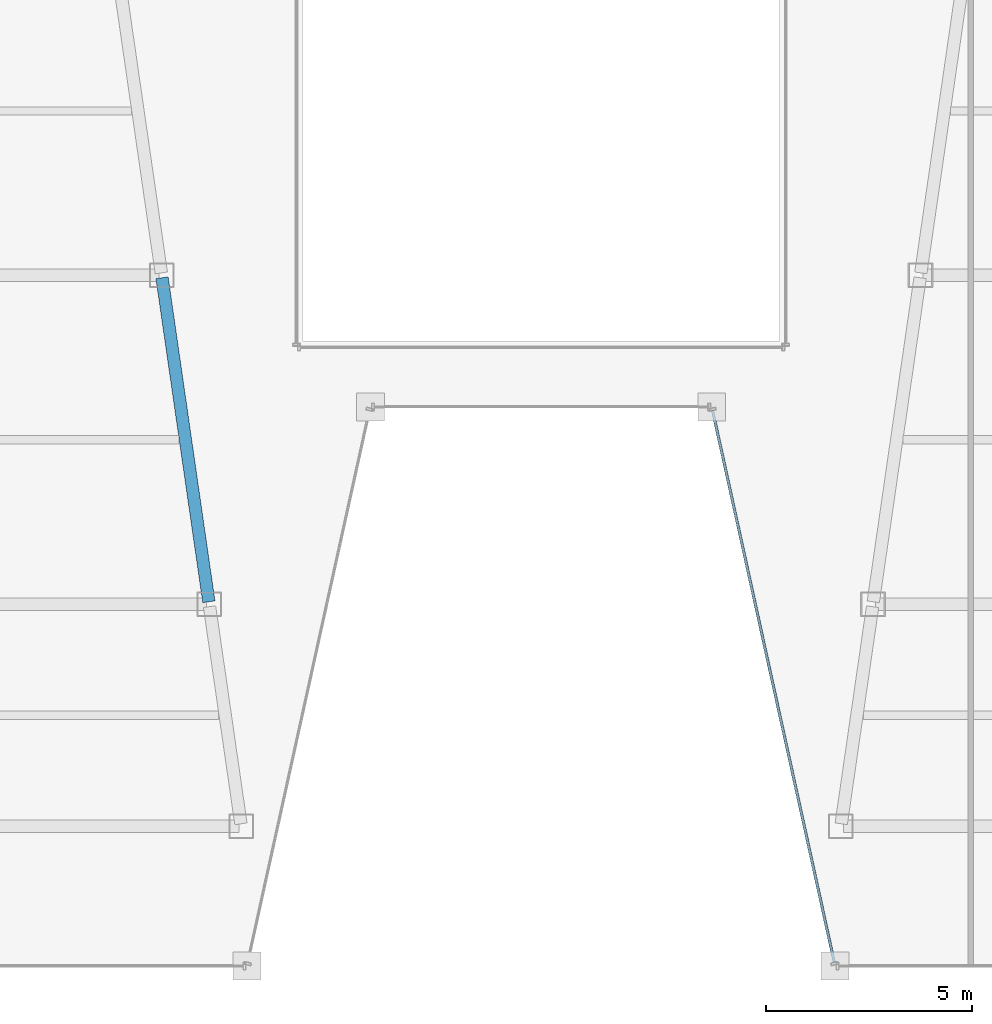
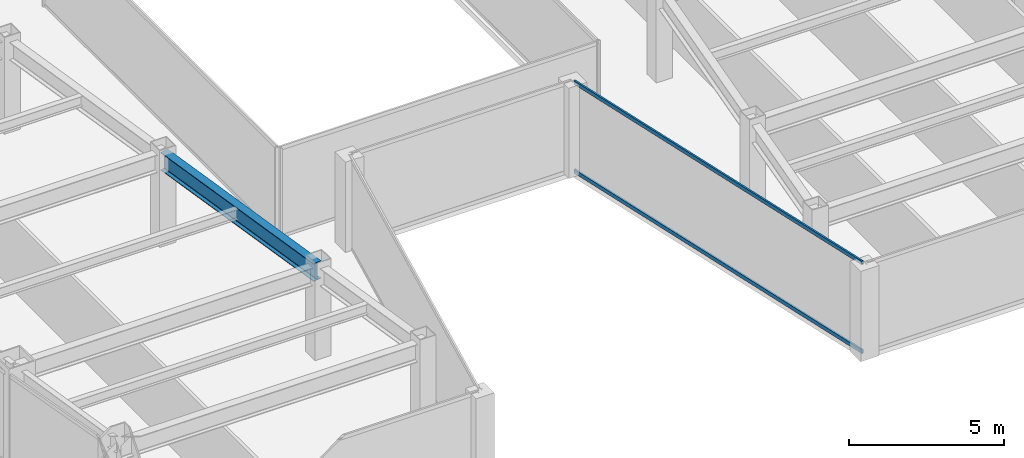
# One storey, part 6 of 37: 2 members, 1 beam, 1 element without a shape of its own.
"""IFC4 building model written with IfcOpenShell, lengths in metres."""

from ifc_helpers import new_model, si_unit, direction, frame, origin, origin_2d, place, context, subcontext, project, spatial, hollow_rectangle, i_section, extrude, material, material_profile, profile_set, type_object, element, aggregate, save


model = new_model("IFC4")

# Units and contexts
model_context = context("Model", 3, precision=1e-05, world=origin(), true_north=direction((0.0, 1.0)))
body_context = subcontext(model_context, "Body", "Model", "MODEL_VIEW")
ifc_project = project(units=[si_unit("LENGTHUNIT", "METRE"), si_unit("AREAUNIT", "SQUARE_METRE"), si_unit("VOLUMEUNIT", "CUBIC_METRE"), si_unit("PLANEANGLEUNIT", "RADIAN"), si_unit("MASSUNIT", "GRAM", prefix="KILO")], contexts=[model_context])

# Site, building, storey
site_placement = place(None, origin())
site = spatial("IfcSite", under=ifc_project, at=site_placement, CompositionType="ELEMENT")
building_placement = place(site_placement, origin())
building = spatial("IfcBuilding", under=site, at=building_placement, Name="Saevonmaru Cultural Tower", CompositionType="ELEMENT")
storey_placement = place(building_placement, frame((0.0, 0.0, 141.0)))
storey = spatial("IfcBuildingStorey", under=building, at=storey_placement, Name="L30", CompositionType="ELEMENT", Elevation=141.0)

# Beam
ifc_material_1 = material(Name="Steel SM355", Category="steel")
ifc_material_profile_1 = material_profile(ifc_material_1, i_section(OverallWidth=0.300048828125, OverallDepth=0.699951171875, WebThickness=0.012939453125, FlangeThickness=0.02392578125, FilletRadius=0.02587890625, at=origin_2d()), Name="H-700x300x13x24")
ifc_profile_set_1 = profile_set([ifc_material_profile_1], Name="Steel SM355")
beam_type = type_object("IfcBeamType", Name="BM-G-H700", PredefinedType="BEAM", material=ifc_profile_set_1)
beam_placement = place(storey_placement, frame((21.91943359375, 16.059326171875, 3.199951171875), z_axis=(-0.143022161059, 0.989719486241, 0.0), x_axis=(-0.989719486241, -0.143022161059, 0.0)))
element("IfcBeam", 1, at=beam_placement, inside=storey, type_object=beam_type, Name="L30 West Atrium Girder 2", PredefinedType="BEAM", context=body_context, shape_type="SweptSolid", body=[
    extrude(i_section(OverallWidth=0.300048828125, OverallDepth=0.699951171875, WebThickness=0.012939453125, FlangeThickness=0.02392578125, FilletRadius=0.02587890625, at=origin_2d()), origin(), (0.0, 0.0, 1.0), 7.963134765625),
])

# Curtain wall, members
ifc_material_2 = material(Name="Satin Bronze Anodised Aluminium", Category="aluminium")
curtain_wall_type = type_object("IfcCurtainWallType", Name="CW-TYP-A", PredefinedType="NOTDEFINED", material=ifc_material_2)
curtain_wall_placement = place(storey_placement, origin())
curtain_wall = element("IfcCurtainWall", 2, at=curtain_wall_placement, inside=storey, type_object=curtain_wall_type, Name="L30 Unitised Curtain Wall E5", PredefinedType="NOTDEFINED")
ifc_material_profile_2 = material_profile(ifc_material_2, hollow_rectangle(XDim=0.06494140625, YDim=0.14990234375, WallThickness=0.00390625, at=origin_2d()), Name="ALU-TRAN-150x65x4")
ifc_profile_set_2 = profile_set([ifc_material_profile_2], Name="Satin Bronze Anodised Aluminium")
member_type = type_object("IfcMemberType", Name="TR-CW-150x65", PredefinedType="USERDEFINED", material=ifc_profile_set_2)
member_1_placement = place(storey_placement, frame((34.1708984375, 20.709716796875, 0.032470703125), z_axis=(0.21541214732, -0.976523223885, 0.0), x_axis=(0.976523223885, 0.21541214732, 0.0)))
member_1 = element("IfcMember", 3, at=member_1_placement, type_object=member_type, Name="CW-TW-L30-E5 transom 1.1", ObjectType="TRANSOM", PredefinedType="USERDEFINED", context=body_context, shape_type="SweptSolid", body=[
    extrude(hollow_rectangle(XDim=0.06494140625, YDim=0.14990234375, WallThickness=0.00390625, at=origin_2d()), origin(), (0.0, 0.0, 1.0), 13.741943359375),
])
member_2_placement = place(storey_placement, frame((34.1708984375, 20.709716796875, 3.517578125), z_axis=(0.21541214732, -0.976523223885, 0.0), x_axis=(0.976523223885, 0.21541214732, 0.0)))
member_2 = element("IfcMember", 4, at=member_2_placement, type_object=member_type, Name="CW-TW-L30-E5 transom 1.2", ObjectType="TRANSOM", PredefinedType="USERDEFINED", context=body_context, shape_type="SweptSolid", body=[
    extrude(hollow_rectangle(XDim=0.06494140625, YDim=0.14990234375, WallThickness=0.00390625, at=origin_2d()), origin(), (0.0, 0.0, 1.0), 13.741943359375),
])
aggregate(curtain_wall, [member_1, member_2])

save(model, "model.ifc")
